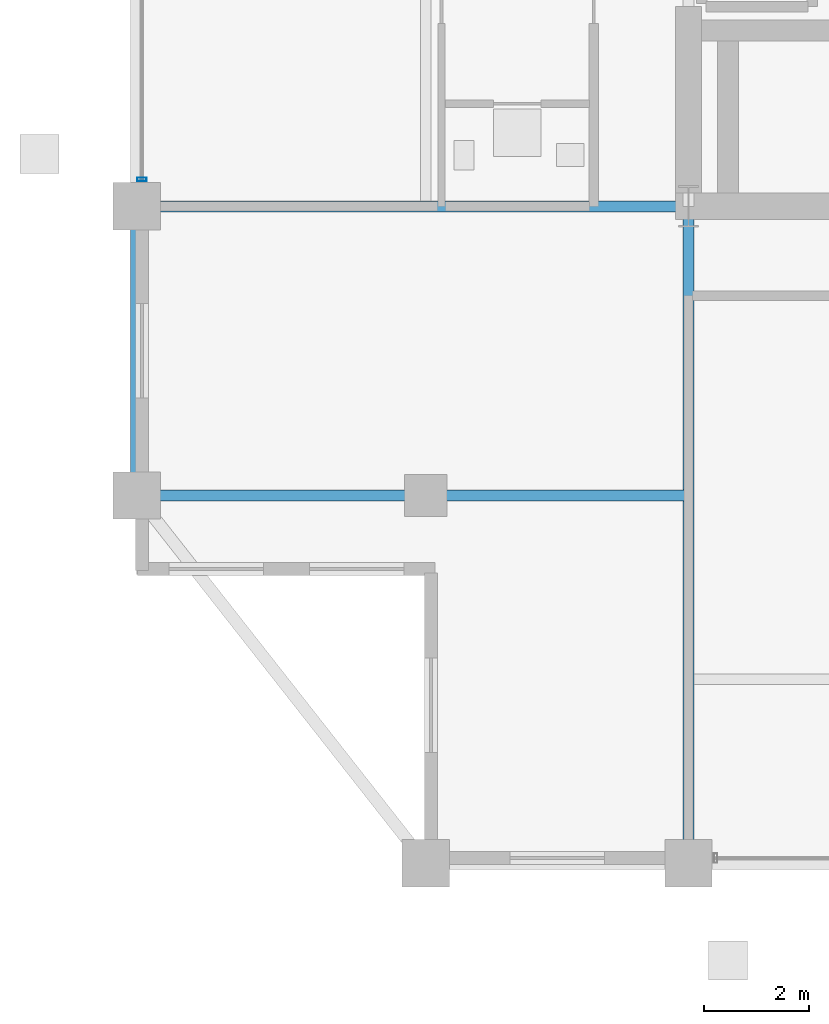
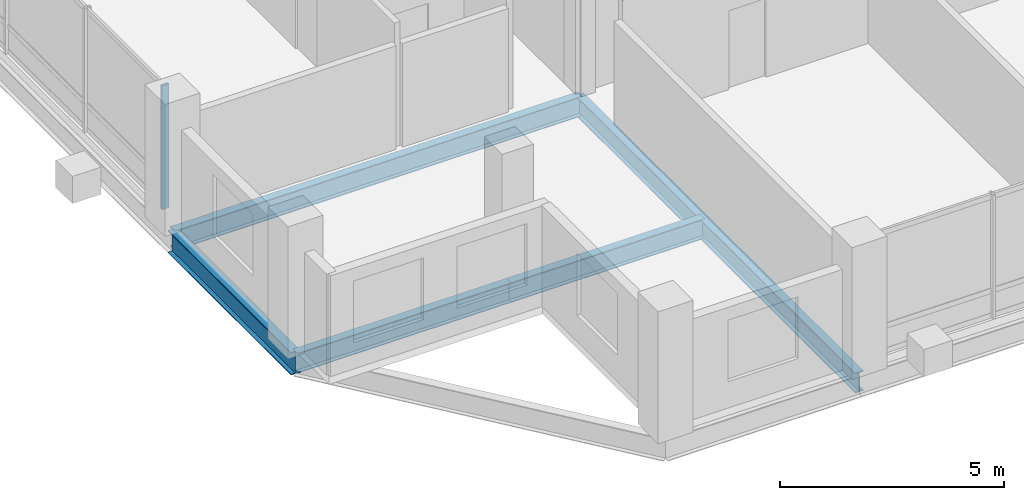
# One storey, part 3 of 21: 5 beams, 1 member, 1 element without a shape of its own.
"""IFC4 building model written with IfcOpenShell, lengths in metres."""

from ifc_helpers import new_model, si_unit, direction, frame, origin, origin_2d, place, context, subcontext, project, spatial, hollow_rectangle, i_section, extrude, material, layer, layer_set, material_profile, profile_set, type_object, element, aggregate, save


model = new_model("IFC4")

# Units and contexts
model_context = context("Model", 3, precision=1e-05, world=origin(), true_north=direction((0.0, 1.0)))
body_context = subcontext(model_context, "Body", "Model", "MODEL_VIEW")
ifc_project = project(units=[si_unit("LENGTHUNIT", "METRE"), si_unit("AREAUNIT", "SQUARE_METRE"), si_unit("VOLUMEUNIT", "CUBIC_METRE"), si_unit("PLANEANGLEUNIT", "RADIAN"), si_unit("MASSUNIT", "GRAM", prefix="KILO")], contexts=[model_context])

# Site, building, storey
site_placement = place(None, origin())
site = spatial("IfcSite", under=ifc_project, at=site_placement, CompositionType="ELEMENT")
building_placement = place(site_placement, origin())
building = spatial("IfcBuilding", under=site, at=building_placement, Name="Barlavira Tower and Art Museum", CompositionType="ELEMENT")
storey_placement = place(building_placement, frame((0.0, 0.0, 222.300048828125)))
storey = spatial("IfcBuildingStorey", under=building, at=storey_placement, Name="L57", CompositionType="ELEMENT", Elevation=222.300048828125)

# Curtain wall, member
ifc_material_1 = material(Name="Low-iron coastal laminated glass", Category="glass")
ifc_layer = layer(ifc_material_1, 0.2099609375, Name="Low-iron coastal laminated glass")
ifc_layer_set = layer_set([ifc_layer], Name="Low-iron coastal laminated glass")
curtain_wall_type = type_object("IfcCurtainWallType", Name="Pale-Metal Unitised Curtain Wall Zone 4", PredefinedType="NOTDEFINED", material=ifc_layer_set)
curtain_wall_placement = place(storey_placement, origin())
curtain_wall = element("IfcCurtainWall", 1, at=curtain_wall_placement, inside=storey, type_object=curtain_wall_type, Name="L57 Curtain Wall CW4-L57-W-B3", PredefinedType="NOTDEFINED")
ifc_material_2 = material(Name="Pale anodised aluminium", Category="aluminium")
ifc_material_profile_1 = material_profile(ifc_material_2, hollow_rectangle(XDim=0.06494140625, YDim=0.179931640625, WallThickness=0.00390625, at=origin_2d()), Name="ALU-MULL 65x180x4")
ifc_profile_set_1 = profile_set([ifc_material_profile_1], Name="Pale anodised aluminium")
member_type = type_object("IfcMemberType", Name="Curtain Wall Pale-Metal Mullion 65x180", PredefinedType="MULLION", material=ifc_profile_set_1)
member_placement = place(storey_placement, frame((-16.89990234375, -6.985107421875, 0.0), z_axis=(0.0, 0.0, 1.0), x_axis=(0.0, -1.0, 0.0)))
member = element("IfcMember", 2, at=member_placement, type_object=member_type, Name="CW4-L57-W-B3 Mullion 4", PredefinedType="MULLION", context=body_context, shape_type="SweptSolid", body=[
    extrude(hollow_rectangle(XDim=0.06494140625, YDim=0.179931640625, WallThickness=0.00390625, at=origin_2d()), origin(), (0.0, 0.0, 1.0), 3.3798828125),
])
aggregate(curtain_wall, [member])

# Beams
ifc_material_3 = material(Name="Steel S355", Category="steel")
ifc_material_profile_2 = material_profile(ifc_material_3, i_section(OverallWidth=0.22998046875, OverallDepth=0.616943359375, WebThickness=0.01318359375, FlangeThickness=0.022216796875, at=origin_2d()), Name="W610x140.0")
ifc_profile_set_2 = profile_set([ifc_material_profile_2], Name="Steel S355")
beam_type_1 = type_object("IfcBeamType", Name="Upper Shaft Spandrel Edge Beam W610x140 Steel S355", PredefinedType="SPANDREL", material=ifc_profile_set_2)
beam_1_placement = place(storey_placement, frame((-17.0, -13.0, -0.528564453125), z_axis=(0.0, 1.0, 0.0), x_axis=(-1.0, 0.0, 0.0)))
element("IfcBeam", 3, at=beam_1_placement, inside=storey, type_object=beam_type_1, Name="L57 Spandrel 15", PredefinedType="SPANDREL", context=body_context, shape_type="SweptSolid", body=[
    extrude(i_section(OverallWidth=0.22998046875, OverallDepth=0.616943359375, WebThickness=0.01318359375, FlangeThickness=0.022216796875, at=origin_2d()), origin(), (0.0, 0.0, 1.0), 5.5),
])
ifc_material_profile_3 = material_profile(ifc_material_3, i_section(OverallWidth=0.2109375, OverallDepth=0.5390625, WebThickness=0.01171875, FlangeThickness=0.018798828125, at=origin_2d()), Name="W530x109.0")
ifc_profile_set_3 = profile_set([ifc_material_profile_3], Name="Steel S355")
beam_type_2 = type_object("IfcBeamType", Name="Zone 3-4 Primary Floor Girder W530x109 Steel S355", PredefinedType="BEAM", material=ifc_profile_set_3)
beam_2_placement = place(storey_placement, frame((-6.5, -20.0, -0.489501953125), z_axis=(0.0, 1.0, 0.0), x_axis=(-1.0, 0.0, 0.0)))
element("IfcBeam", 4, at=beam_2_placement, inside=storey, type_object=beam_type_2, Name="L57 Girder R-S1", PredefinedType="BEAM", context=body_context, shape_type="SweptSolid", body=[
    extrude(i_section(OverallWidth=0.2109375, OverallDepth=0.5390625, WebThickness=0.01171875, FlangeThickness=0.018798828125, at=origin_2d()), origin(), (0.0, 0.0, 1.0), 12.5),
])
beam_3_placement = place(storey_placement, frame((-17.0, -7.5, -0.489501953125), z_axis=(1.0, 0.0, 0.0), x_axis=(0.0, 1.0, 0.0)))
element("IfcBeam", 5, at=beam_3_placement, inside=storey, type_object=beam_type_2, Name="L57 Girder R-W1", PredefinedType="BEAM", context=body_context, shape_type="SweptSolid", body=[
    extrude(i_section(OverallWidth=0.2109375, OverallDepth=0.5390625, WebThickness=0.01171875, FlangeThickness=0.018798828125, at=origin_2d()), origin(), (0.0, 0.0, 1.0), 10.5),
])
beam_4_placement = place(storey_placement, frame((-17.0, -13.0, -0.489501953125), z_axis=(1.0, 0.0, 0.0), x_axis=(0.0, 1.0, 0.0)))
element("IfcBeam", 6, at=beam_4_placement, inside=storey, type_object=beam_type_2, Name="L57 Girder I-S1", PredefinedType="BEAM", context=body_context, shape_type="SweptSolid", body=[
    extrude(i_section(OverallWidth=0.2109375, OverallDepth=0.5390625, WebThickness=0.01171875, FlangeThickness=0.018798828125, at=origin_2d()), origin(), (0.0, 0.0, 1.0), 5.5),
])
beam_5_placement = place(storey_placement, frame((-11.5, -13.0, -0.489501953125), z_axis=(1.0, 0.0, 0.0), x_axis=(0.0, 1.0, 0.0)))
element("IfcBeam", 7, at=beam_5_placement, inside=storey, type_object=beam_type_2, Name="L57 Girder I-S2", PredefinedType="BEAM", context=body_context, shape_type="SweptSolid", body=[
    extrude(i_section(OverallWidth=0.2109375, OverallDepth=0.5390625, WebThickness=0.01171875, FlangeThickness=0.018798828125, at=origin_2d()), origin(), (0.0, 0.0, 1.0), 5.0),
])

save(model, "model.ifc")
